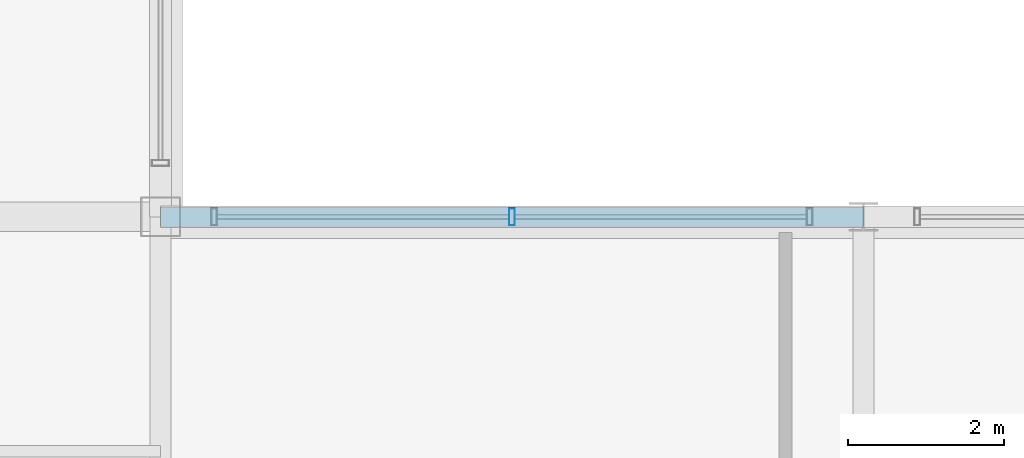
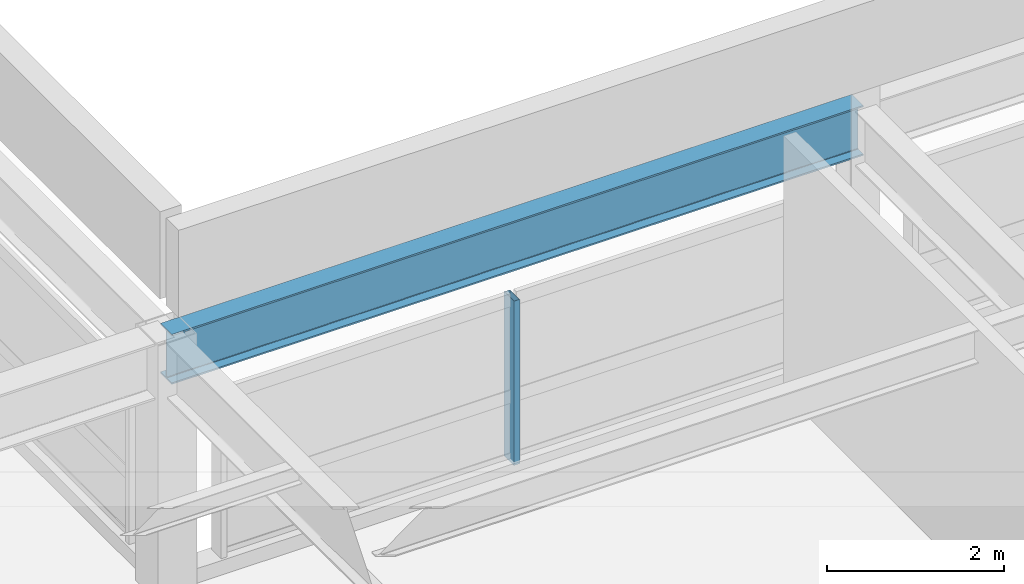
# One storey, part 60 of 108: 1 beam, 1 member, 1 element without a shape of its own.
"""IFC4 building model written with IfcOpenShell, lengths in metres."""

from ifc_helpers import new_model, si_unit, direction, frame, origin, origin_2d, place, context, subcontext, project, spatial, hollow_rectangle, i_section, extrude, material, material_profile, profile_set, type_object, element, aggregate, save


model = new_model("IFC4")

# Units and contexts
model_context = context("Model", 3, precision=1e-05, world=origin(), true_north=direction((0.0, 1.0)))
body_context = subcontext(model_context, "Body", "Model", "MODEL_VIEW")
ifc_project = project(units=[si_unit("LENGTHUNIT", "METRE"), si_unit("AREAUNIT", "SQUARE_METRE"), si_unit("VOLUMEUNIT", "CUBIC_METRE"), si_unit("PLANEANGLEUNIT", "RADIAN"), si_unit("MASSUNIT", "GRAM", prefix="KILO")], contexts=[model_context])

# Site, building, storey
site_placement = place(None, origin())
site = spatial("IfcSite", under=ifc_project, at=site_placement, CompositionType="ELEMENT")
building_placement = place(site_placement, origin())
building = spatial("IfcBuilding", under=site, at=building_placement, Name="Kaldorvane Square Convention Centre", CompositionType="ELEMENT")
storey_placement = place(building_placement, frame((0.0, 0.0, 23.399993896484375)))
storey = spatial("IfcBuildingStorey", under=building, at=storey_placement, Name="L04", CompositionType="ELEMENT", Elevation=23.399993896484375)

# Beam
ifc_material_1 = material(Name="Steel ASTM A992 Gr. 50", Category="steel")
ifc_material_profile_1 = material_profile(ifc_material_1, i_section(OverallWidth=0.25439453125, OverallDepth=0.6880950927734375, WebThickness=0.0131072998046875, FlangeThickness=0.0211029052734375, FilletRadius=0.01519775390625, at=origin_2d()), Name="W27X102")
ifc_profile_set_1 = profile_set([ifc_material_profile_1], Name="Steel ASTM A992 Gr. 50")
beam_type = type_object("IfcBeamType", Name="BM-GR-W27X102", PredefinedType="BEAM", material=ifc_profile_set_1)
beam_placement = place(storey_placement, frame((138.0, 36.0, 3.1819000244140625), z_axis=(1.0, 0.0, 0.0), x_axis=(0.0, 1.0, 0.0)))
element("IfcBeam", 1, at=beam_placement, inside=storey, type_object=beam_type, Name="Primary Girder (L04)", PredefinedType="BEAM", context=body_context, shape_type="SweptSolid", body=[
    extrude(i_section(OverallWidth=0.25439453125, OverallDepth=0.6880950927734375, WebThickness=0.0131072998046875, FlangeThickness=0.0211029052734375, FilletRadius=0.01519775390625, at=origin_2d()), origin(), (0.0, 0.0, 1.0), 9.0),
])

# Curtain wall, member
ifc_material_2 = material(Name="Anodized Aluminum and Low-E Insulated Glazing", Category="aluminium")
curtain_wall_type = type_object("IfcCurtainWallType", Name="CW-PTS-FC-42", PredefinedType="USERDEFINED", material=ifc_material_2)
curtain_wall_placement = place(storey_placement, origin())
curtain_wall = element("IfcCurtainWall", 2, at=curtain_wall_placement, inside=storey, type_object=curtain_wall_type, Name="Curtain Wall CW-09 (L04)", ObjectType="POINT SUPPORTED GLAZING", PredefinedType="USERDEFINED")
ifc_material_profile_2 = material_profile(ifc_material_2, hollow_rectangle(XDim=0.0749969482421875, YDim=0.220001220703125, WallThickness=0.003997802734375, at=origin_2d()), Name="CWM-220X75")
ifc_profile_set_2 = profile_set([ifc_material_profile_2], Name="Anodized Aluminum and Low-E Insulated Glazing")
member_type = type_object("IfcMemberType", Name="CW-MUL-220", PredefinedType="MULLION", material=ifc_profile_set_2)
member_placement = place(storey_placement, frame((142.5, 36.0, 0.1500091552734375), z_axis=(0.0, 0.0, 1.0), x_axis=(-1.0, 0.0, 0.0)))
member = element("IfcMember", 3, at=member_placement, type_object=member_type, Name="CW-09 mullion 2", PredefinedType="MULLION", context=body_context, shape_type="SweptSolid", body=[
    extrude(hollow_rectangle(XDim=0.0749969482421875, YDim=0.220001220703125, WallThickness=0.003997802734375, at=origin_2d()), origin(), (0.0, 0.0, 1.0), 2.2599945068359375),
])
aggregate(curtain_wall, [member])

save(model, "model.ifc")
